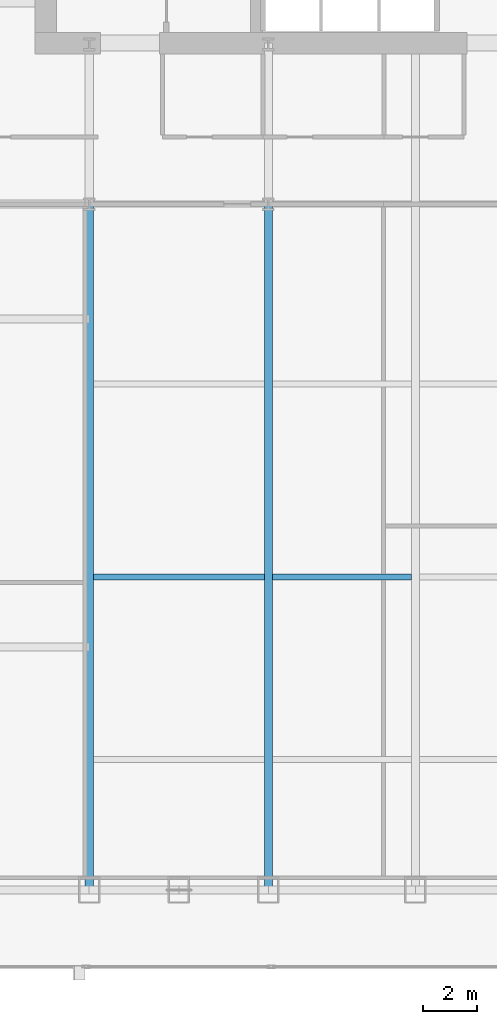
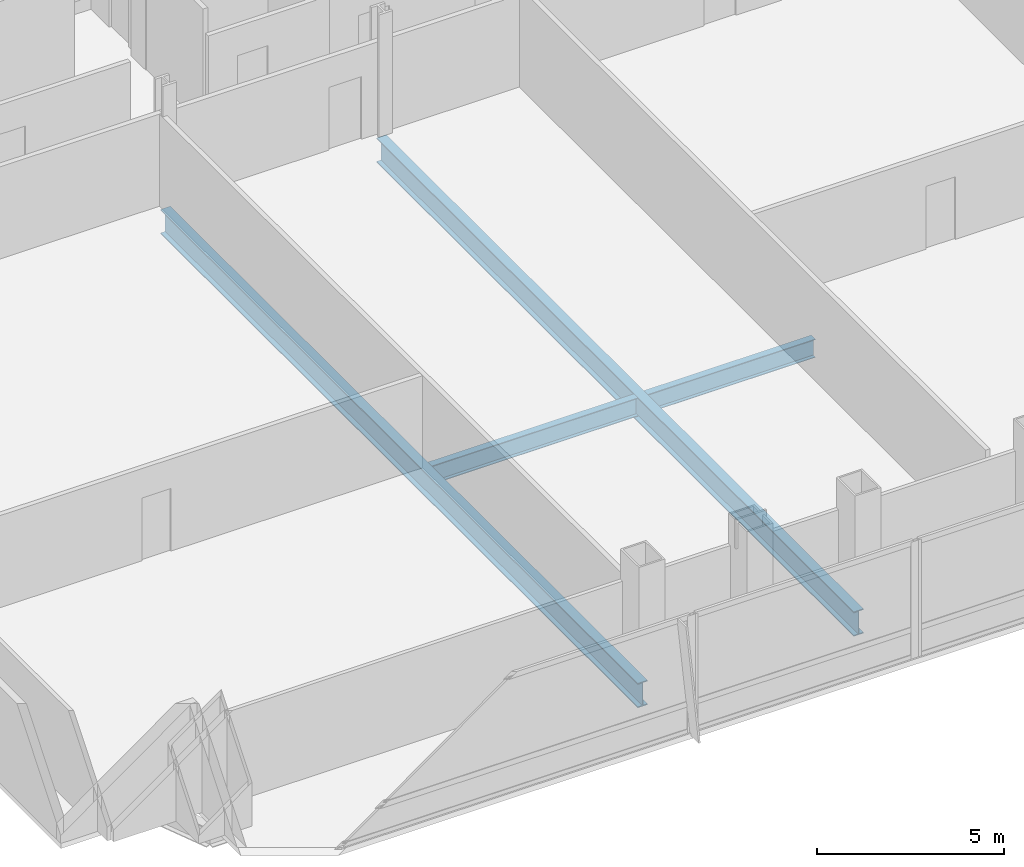
# One storey, part 9 of 35: 4 beams.
"""IFC4 building model written with IfcOpenShell, lengths in metres."""

from ifc_helpers import new_model, si_unit, direction, frame, origin, origin_2d, place, context, subcontext, project, spatial, i_section, extrude, material, material_profile, profile_set, type_object, element, save


model = new_model("IFC4")

# Units and contexts
model_context = context("Model", 3, precision=1e-05, world=origin(), true_north=direction((0.0, 1.0)))
body_context = subcontext(model_context, "Body", "Model", "MODEL_VIEW")
ifc_project = project(units=[si_unit("LENGTHUNIT", "METRE"), si_unit("AREAUNIT", "SQUARE_METRE"), si_unit("VOLUMEUNIT", "CUBIC_METRE"), si_unit("PLANEANGLEUNIT", "RADIAN"), si_unit("MASSUNIT", "GRAM", prefix="KILO")], contexts=[model_context])

# Site, building, storey
site_placement = place(None, origin())
site = spatial("IfcSite", under=ifc_project, at=site_placement, CompositionType="ELEMENT")
building_placement = place(site_placement, origin())
building = spatial("IfcBuilding", under=site, at=building_placement, Name="Khoronbel Lancet Exchange", CompositionType="ELEMENT")
storey_placement = place(building_placement, frame((0.0, 0.0, 69.800048828125)))
storey = spatial("IfcBuildingStorey", under=building, at=storey_placement, Name="L16", CompositionType="ELEMENT", Elevation=69.800048828125)

# Beams
ifc_material = material(Name="Steel S355", Category="steel")
ifc_material_profile_1 = material_profile(ifc_material, i_section(OverallWidth=0.300048828125, OverallDepth=0.800048828125, WebThickness=0.017578125, FlangeThickness=0.032958984375, at=origin_2d()), Name="HEB 800")
ifc_profile_set_1 = profile_set([ifc_material_profile_1], Name="Steel S355")
beam_type_1 = type_object("IfcBeamType", Name="BM-BG2", PredefinedType="BEAM", material=ifc_profile_set_1)
for number, where, z_axis, x_axis, name in (
    (1, (18.22509765625, 10.14990234375, -0.580078125), (0.0, 1.0, 0.0), (-1.0, 0.0, 0.0), "Level L16 south primary girder GS1"),
    (2, (24.89990234375, 10.14990234375, -0.580078125), (0.0, 1.0, 0.0), (-1.0, 0.0, 0.0), "Level L16 south primary girder GS2"),
):
    element("IfcBeam", number, at=place(storey_placement, frame(where, z_axis=z_axis, x_axis=x_axis)), inside=storey, type_object=beam_type_1, Name=name, PredefinedType="BEAM", context=body_context, shape_type="SweptSolid", body=[
        extrude(i_section(OverallWidth=0.300048828125, OverallDepth=0.800048828125, WebThickness=0.017578125, FlangeThickness=0.032958984375, at=origin_2d()), origin(), (0.0, 0.0, 1.0), 25.550048828125),
    ])
ifc_material_profile_2 = material_profile(ifc_material, i_section(OverallWidth=0.219970703125, OverallDepth=0.60009765625, WebThickness=0.011962890625, FlangeThickness=0.01904296875, at=origin_2d()), Name="IPE 600")
ifc_profile_set_2 = profile_set([ifc_material_profile_2], Name="Steel S355")
beam_type_2 = type_object("IfcBeamType", Name="BM-BJ1", PredefinedType="JOIST", material=ifc_profile_set_2)
beam_1_placement = place(storey_placement, frame((18.375, 21.800048828125, -0.47998046875), z_axis=(1.0, 0.0, 0.0), x_axis=(0.0, 1.0, 0.0)))
element("IfcBeam", 3, at=beam_1_placement, inside=storey, type_object=beam_type_2, Name="Level L16 secondary composite joist J06", PredefinedType="JOIST", context=body_context, shape_type="SweptSolid", body=[
    extrude(i_section(OverallWidth=0.219970703125, OverallDepth=0.60009765625, WebThickness=0.011962890625, FlangeThickness=0.01904296875, at=origin_2d()), origin(), (0.0, 0.0, 1.0), 6.375),
])
beam_2_placement = place(storey_placement, frame((25.050048828125, 21.800048828125, -0.47998046875), z_axis=(1.0, 0.0, 0.0), x_axis=(0.0, 1.0, 0.0)))
element("IfcBeam", 4, at=beam_2_placement, inside=storey, type_object=beam_type_2, Name="Level L16 secondary composite joist J07", PredefinedType="JOIST", context=body_context, shape_type="SweptSolid", body=[
    extrude(i_section(OverallWidth=0.219970703125, OverallDepth=0.60009765625, WebThickness=0.011962890625, FlangeThickness=0.01904296875, at=origin_2d()), origin(), (0.0, 0.0, 1.0), 5.175048828125),
])

save(model, "model.ifc")
